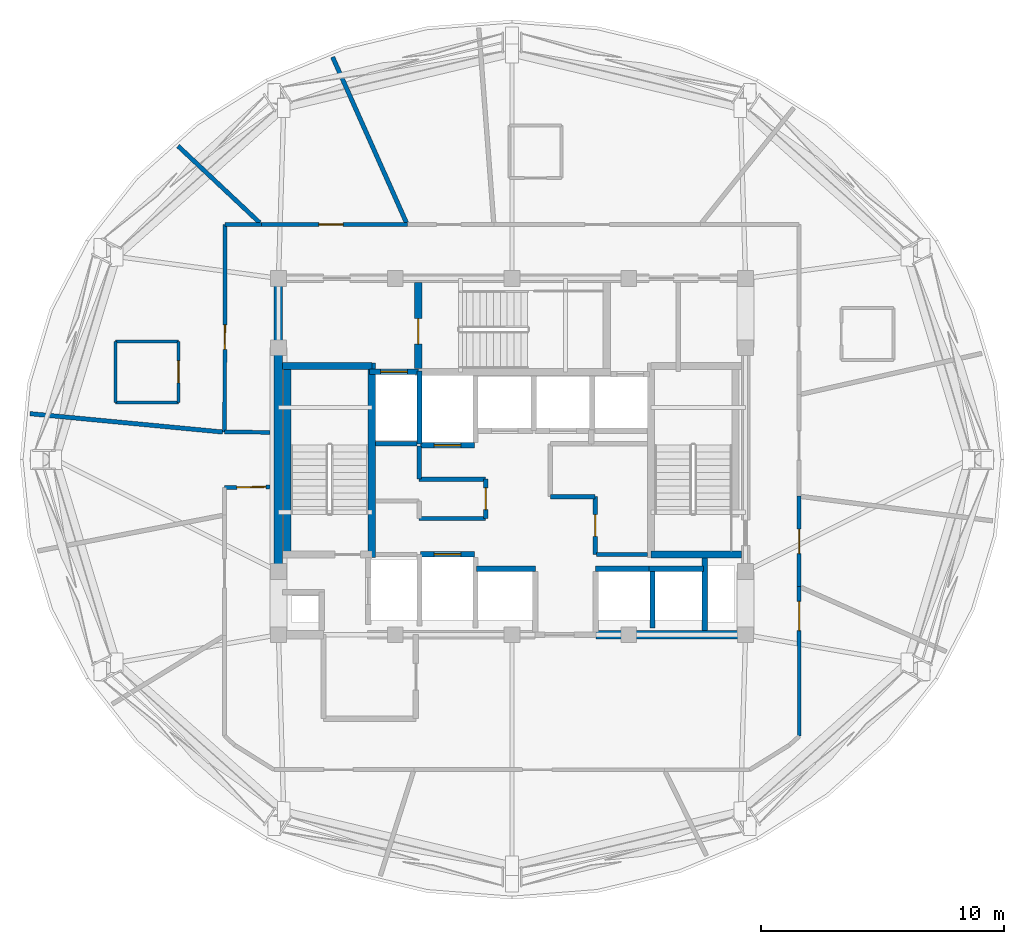
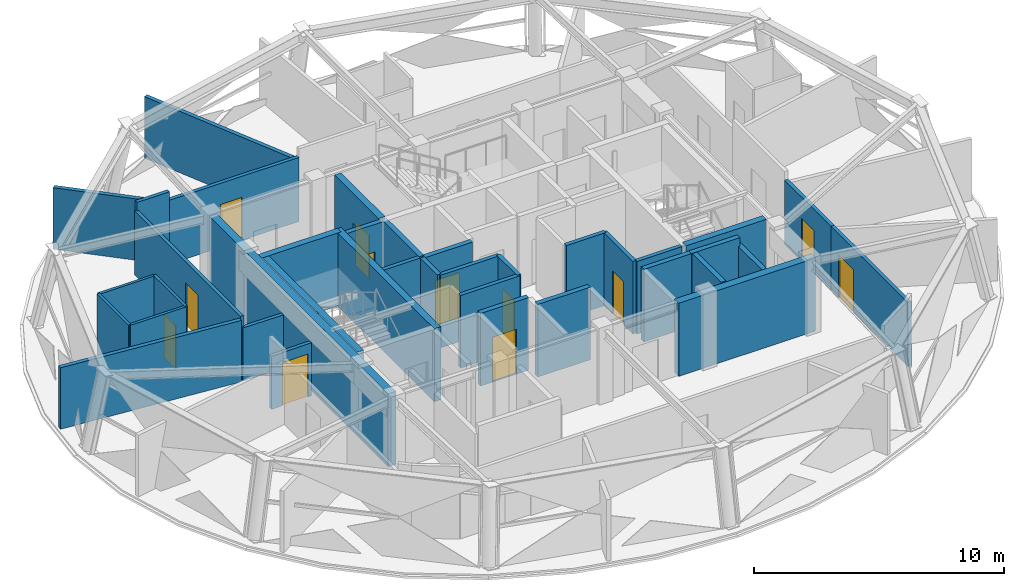
# One storey, part 5 of 11: 38 walls, 12 doors, 12 openings.
"""IFC4 building model written with IfcOpenShell, lengths in metres."""

from ifc_helpers import new_model, si_unit, direction, frame, frame_2d, origin, place, context, subcontext, project, spatial, rectangle, extrude, material, layer, layer_set, type_object, element, fill, save


model = new_model("IFC4")

# Units and contexts
model_context = context("Model", 3, precision=1e-05, world=origin(), true_north=direction((0.0, 1.0)))
body_context = subcontext(model_context, "Body", "Model", "MODEL_VIEW")
ifc_project = project(units=[si_unit("LENGTHUNIT", "METRE"), si_unit("AREAUNIT", "SQUARE_METRE"), si_unit("VOLUMEUNIT", "CUBIC_METRE"), si_unit("PLANEANGLEUNIT", "RADIAN"), si_unit("MASSUNIT", "GRAM", prefix="KILO")], contexts=[model_context])

# Site, building, storey
site_placement = place(None, origin())
site = spatial("IfcSite", under=ifc_project, at=site_placement, CompositionType="ELEMENT")
building_placement = place(site_placement, origin())
building = spatial("IfcBuilding", under=site, at=building_placement, Name="Vantalir Tower", CompositionType="ELEMENT")
storey_placement = place(building_placement, frame((0.0, 0.0, 278.85009765625)))
storey = spatial("IfcBuildingStorey", under=building, at=storey_placement, Name="L70", CompositionType="ELEMENT", Elevation=278.85009765625)

# Walls
ifc_material_1 = material(Name="Moisture-resistant en-suite partition", Category="gypsum")
ifc_layer_1 = layer(ifc_material_1, 0.125)
ifc_layer_set_1 = layer_set([ifc_layer_1], Name="Moisture-resistant en-suite partition")
wall_type_1 = type_object("IfcWallType", Name="WL-BATH-125", PredefinedType="PARTITIONING", material=ifc_layer_set_1)
for number, where, z_axis, x_axis, name in (
    (1, (15.193115234375, 27.35400390625, 0.0), (0.0, 0.0, 1.0), (1.0, 0.0, 0.0), "L70 En-suite 05 South Wall"),
    (2, (15.193115234375, 29.85400390625, 0.0), (0.0, 0.0, 1.0), (1.0, 0.0, 0.0), "L70 En-suite 05 North Wall"),
):
    element("IfcWall", number, at=place(storey_placement, frame(where, z_axis=z_axis, x_axis=x_axis)), inside=storey, type_object=wall_type_1, Name=name, PredefinedType="PARTITIONING", context=body_context, shape_type="SweptSolid", body=[
        extrude(rectangle(XDim=2.599853515625, YDim=0.125, at=frame_2d((1.2998046875, 0.0))), origin(), (0.0, 0.0, 1.0), 3.5498046875),
    ])
wall_1_placement = place(storey_placement, frame((15.193115234375, 27.35400390625, 0.0), z_axis=(0.0, 0.0, 1.0), x_axis=(0.0, 1.0, 0.0)))
element("IfcWall", 3, at=wall_1_placement, inside=storey, type_object=wall_type_1, Name="L70 En-suite 05 West Wall", PredefinedType="PARTITIONING", context=body_context, shape_type="SweptSolid", body=[
    extrude(rectangle(XDim=2.5, YDim=0.125, at=frame_2d((1.25, 0.0))), origin(), (0.0, 0.0, 1.0), 3.5498046875),
])

# Wall, opening, door
wall_2_placement = place(storey_placement, frame((17.79296875, 27.35400390625, 0.0), z_axis=(0.0, 0.0, 1.0), x_axis=(0.0, 1.0, 0.0)))
wall_2 = element("IfcWall", 4, at=wall_2_placement, inside=storey, type_object=wall_type_1, Name="L70 En-suite 05 East Wall", PredefinedType="PARTITIONING", context=body_context, shape_type="SweptSolid", body=[
    extrude(rectangle(XDim=2.5, YDim=0.125, at=frame_2d((1.25, 0.0))), origin(), (0.0, 0.0, 1.0), 3.5498046875),
])
opening_1_placement = place(wall_2_placement, frame((0.800048828125, 0.0, 0.0)))
opening_1 = element("IfcOpeningElement", 5, at=opening_1_placement, cuts=wall_2, Name="Opening D-WC", PredefinedType="OPENING", context=body_context, shape_type="SweptSolid", body=[
    extrude(rectangle(XDim=0.89990234375, YDim=2.10009765625, at=frame_2d((0.449951171875, 1.050048828125))), frame((0.0, 0.072509765625, 0.0), z_axis=(0.0, -1.0, 0.0), x_axis=(1.0, 0.0, 0.0)), (0.0, 0.0, 1.0), 0.14501953125),
])
ifc_material_2 = material(Name="Moisture-resistant hardwood door", Category="wood")
door_type_1 = type_object("IfcDoorType", Name="DR-ENSUITE-900", OperationType="NOTDEFINED", PredefinedType="DOOR", material=ifc_material_2)
door_1_placement = place(opening_1_placement, origin())
door_1 = element("IfcDoor", 6, at=door_1_placement, inside=storey, type_object=door_type_1, Name="L70 En-suite 05 Door", OperationType="SINGLE_SWING_RIGHT", OverallHeight=2.10009765625, OverallWidth=0.89990234375, PredefinedType="DOOR", context=body_context, shape_type="SweptSolid", body=[
    extrude(rectangle(XDim=0.89990234375, YDim=2.10009765625, at=frame_2d((0.449951171875, 1.050048828125))), frame((0.0, 0.02490234375, 0.0), z_axis=(0.0, -1.0, 0.0), x_axis=(1.0, 0.0, 0.0)), (0.0, 0.0, 1.0), 0.050048828125),
])
fill(opening_1, door_1)

# Walls
ifc_material_3 = material(Name="Concrete C50/60", Category="concrete")
ifc_layer_2 = layer(ifc_material_3, 0.35009765625)
ifc_layer_set_2 = layer_set([ifc_layer_2], Name="Concrete C50/60")
wall_type_2 = type_object("IfcWallType", Name="WL-CORE-350", PredefinedType="SHEAR", material=ifc_layer_set_2)
wall_3_placement = place(storey_placement, frame((34.949951171875, 17.800048828125, 0.0), z_axis=(0.0, 0.0, 1.0), x_axis=(1.0, 0.0, 0.0)))
element("IfcWall", 7, at=wall_3_placement, inside=storey, type_object=wall_type_2, Name="L70 Core Shear Wall South-East", PredefinedType="SHEAR", context=body_context, shape_type="SweptSolid", body=[
    extrude(rectangle(XDim=6.324951171875, YDim=0.35009765625, at=frame_2d((3.16259765625, 0.0))), origin(), (0.0, 0.0, 1.0), 3.56982421875),
])
wall_4_placement = place(storey_placement, frame((21.89990234375, 17.97509765625, 0.0), z_axis=(0.0, 0.0, 1.0), x_axis=(0.0, 1.0, 0.0)))
element("IfcWall", 8, at=wall_4_placement, inside=storey, type_object=wall_type_2, Name="L70 Core Shear Wall West", PredefinedType="SHEAR", context=body_context, shape_type="SweptSolid", body=[
    extrude(rectangle(XDim=14.2998046875, YDim=0.35009765625, at=frame_2d((7.14990234375, 0.0))), origin(), (0.0, 0.0, 1.0), 3.56982421875),
])
ifc_material_4 = material(Name="Fire-rated hotel corridor acoustic partition", Category="gypsum")
ifc_layer_3 = layer(ifc_material_4, 0.159912109375)
ifc_layer_set_3 = layer_set([ifc_layer_3], Name="Fire-rated hotel corridor acoustic partition")
wall_type_3 = type_object("IfcWallType", Name="WL-CORR-160", PredefinedType="PARTITIONING", material=ifc_layer_set_3)
wall_5_placement = place(storey_placement, frame((21.544921875, 26.116943359375, 0.0), z_axis=(0.0, 0.0, 1.0), x_axis=(-0.999908513059, 0.0135264745, 0.0)))
element("IfcWall", 9, at=wall_5_placement, inside=storey, type_object=wall_type_3, Name="L70 Corridor Partition 01", PredefinedType="PARTITIONING", context=body_context, shape_type="SweptSolid", body=[
    extrude(rectangle(XDim=1.859130859375, YDim=0.159912109375, at=frame_2d((0.9296875, 0.0))), origin(), (0.0, 0.0, 1.0), 2.594970703125),
])

# Wall, opening, door
wall_6_placement = place(storey_placement, frame((19.68603515625, 26.14208984375, 0.0), z_axis=(0.0, 0.0, 1.0), x_axis=(0.002808172778, 0.999996057075, 0.0)))
wall_6 = element("IfcWall", 10, at=wall_6_placement, inside=storey, type_object=wall_type_3, Name="L70 Corridor Partition 02", PredefinedType="PARTITIONING", context=body_context, shape_type="SweptSolid", body=[
    extrude(rectangle(XDim=8.52001953125, YDim=0.159912109375, at=frame_2d((4.260009765625, 0.0))), origin(), (0.0, 0.0, 1.0), 3.1318359375),
])
opening_2_placement = place(wall_6_placement, frame((3.39306640625, 0.0, 0.0)))
opening_2 = element("IfcOpeningElement", 11, at=opening_2_placement, cuts=wall_6, Name="Opening D-GUEST", PredefinedType="OPENING", context=body_context, shape_type="SweptSolid", body=[
    extrude(rectangle(XDim=1.0, YDim=2.10009765625, at=frame_2d((0.5, 1.050048828125))), frame((0.0, 0.08984375, 0.0), z_axis=(0.0, -1.0, 0.0), x_axis=(1.0, 0.0, 0.0)), (0.0, 0.0, 1.0), 0.179931640625),
])
ifc_material_5 = material(Name="Solid-core teak veneer acoustic fire door", Category="wood")
door_type_2 = type_object("IfcDoorType", Name="DR-GUEST-ENTRY-1000", OperationType="NOTDEFINED", PredefinedType="DOOR", material=ifc_material_5)
door_2_placement = place(opening_2_placement, origin())
door_2 = element("IfcDoor", 12, at=door_2_placement, inside=storey, type_object=door_type_2, Name="L70 Deluxe King Hotel Room 05 Door", OperationType="SINGLE_SWING_RIGHT", OverallHeight=2.10009765625, OverallWidth=1.0, PredefinedType="DOOR", context=body_context, shape_type="SweptSolid", body=[
    extrude(rectangle(XDim=1.0, YDim=2.10009765625, at=frame_2d((0.5, 1.050048828125))), frame((0.0, 0.02490234375, 0.0), z_axis=(0.0, -1.0, 0.0), x_axis=(1.0, 0.0, 0.0)), (0.0, 0.0, 1.0), 0.050048828125),
])
fill(opening_2, door_2)

# Wall
wall_7_placement = place(storey_placement, frame((19.7099609375, 34.662109375, 0.0), z_axis=(0.0, 0.0, 1.0), x_axis=(1.0, 0.0, 0.0)))
element("IfcWall", 13, at=wall_7_placement, inside=storey, type_object=wall_type_3, Name="L70 Corridor Partition 03", PredefinedType="PARTITIONING", context=body_context, shape_type="SweptSolid", body=[
    extrude(rectangle(XDim=1.5, YDim=0.159912109375, at=frame_2d((0.75, 0.0))), origin(), (0.0, 0.0, 1.0), 3.5498046875),
])

# Wall, opening, door
wall_8_placement = place(storey_placement, frame((21.2099609375, 34.662109375, 0.0), z_axis=(0.0, 0.0, 1.0), x_axis=(0.999999979201, -0.000203956757, 0.0)))
wall_8 = element("IfcWall", 14, at=wall_8_placement, inside=storey, type_object=wall_type_3, Name="L70 Corridor Partition 04", PredefinedType="PARTITIONING", context=body_context, shape_type="SweptSolid", body=[
    extrude(rectangle(XDim=5.985107421875, YDim=0.159912109375, at=frame_2d((2.99267578125, 0.0))), origin(), (0.0, 0.0, 1.0), 3.1318359375),
])
opening_3_placement = place(wall_8_placement, frame((2.346923828125, 0.0, 0.0)))
opening_3 = element("IfcOpeningElement", 15, at=opening_3_placement, cuts=wall_8, Name="Opening D-GUEST", PredefinedType="OPENING", context=body_context, shape_type="SweptSolid", body=[
    extrude(rectangle(XDim=1.0, YDim=2.10009765625, at=frame_2d((0.5, 1.050048828125))), frame((0.0, 0.08984375, 0.0), z_axis=(0.0, -1.0, 0.0), x_axis=(1.0, 0.0, 0.0)), (0.0, 0.0, 1.0), 0.179931640625),
])
door_3_placement = place(opening_3_placement, origin())
door_3 = element("IfcDoor", 16, at=door_3_placement, inside=storey, type_object=door_type_2, Name="L70 Club Reading Lounge 04 Door", OperationType="SINGLE_SWING_LEFT", OverallHeight=2.10009765625, OverallWidth=1.0, PredefinedType="DOOR", context=body_context, shape_type="SweptSolid", body=[
    extrude(rectangle(XDim=1.0, YDim=2.10009765625, at=frame_2d((0.5, 1.050048828125))), frame((0.0, 0.02490234375, 0.0), z_axis=(0.0, -1.0, 0.0), x_axis=(1.0, 0.0, 0.0)), (0.0, 0.0, 1.0), 0.050048828125),
])
fill(opening_3, door_3)

wall_9_placement = place(storey_placement, frame((43.302001953125, 23.49609375, 0.0), z_axis=(0.0, 0.0, 1.0), x_axis=(0.000525451487, -0.99999986195, 0.0)))
wall_9 = element("IfcWall", 17, at=wall_9_placement, inside=storey, type_object=wall_type_3, Name="L70 Corridor Partition 10", PredefinedType="PARTITIONING", context=body_context, shape_type="SweptSolid", body=[
    extrude(rectangle(XDim=3.717041015625, YDim=0.159912109375, at=frame_2d((1.8583984375, 0.0))), origin(), (0.0, 0.0, 1.0), 3.1318359375),
])
opening_4_placement = place(wall_9_placement, frame((1.35888671875, 0.0, 0.0)))
opening_4 = element("IfcOpeningElement", 18, at=opening_4_placement, cuts=wall_9, Name="Opening D-GUEST", PredefinedType="OPENING", context=body_context, shape_type="SweptSolid", body=[
    extrude(rectangle(XDim=1.0, YDim=2.10009765625, at=frame_2d((0.5, 1.050048828125))), frame((0.0, 0.08984375, 0.0), z_axis=(0.0, -1.0, 0.0), x_axis=(1.0, 0.0, 0.0)), (0.0, 0.0, 1.0), 0.179931640625),
])
door_4_placement = place(opening_4_placement, origin())
door_4 = element("IfcDoor", 19, at=door_4_placement, inside=storey, type_object=door_type_2, Name="L70 Executive Business Study 11 Door", OperationType="SINGLE_SWING_RIGHT", OverallHeight=2.10009765625, OverallWidth=1.0, PredefinedType="DOOR", context=body_context, shape_type="SweptSolid", body=[
    extrude(rectangle(XDim=1.0, YDim=2.10009765625, at=frame_2d((0.5, 1.050048828125))), frame((0.0, 0.02490234375, 0.0), z_axis=(0.0, -1.0, 0.0), x_axis=(1.0, 0.0, 0.0)), (0.0, 0.0, 1.0), 0.050048828125),
])
fill(opening_4, door_4)

wall_10_placement = place(storey_placement, frame((43.303955078125, 19.779052734375, 0.0), z_axis=(0.0, 0.0, 1.0), x_axis=(0.000833498421, -0.99999965264, 0.0)))
wall_10 = element("IfcWall", 20, at=wall_10_placement, inside=storey, type_object=wall_type_3, Name="L70 Corridor Partition 11", PredefinedType="PARTITIONING", context=body_context, shape_type="SweptSolid", body=[
    extrude(rectangle(XDim=6.151123046875, YDim=0.159912109375, at=frame_2d((3.07568359375, 0.0))), origin(), (0.0, 0.0, 1.0), 3.1318359375),
])
opening_5_placement = place(wall_10_placement, frame((0.60791015625, 0.0, 0.0)))
opening_5 = element("IfcOpeningElement", 21, at=opening_5_placement, cuts=wall_10, Name="Opening D-STE", PredefinedType="OPENING", context=body_context, shape_type="SweptSolid", body=[
    extrude(rectangle(XDim=1.199951171875, YDim=2.10009765625, at=frame_2d((0.60009765625, 1.050048828125))), frame((0.0, 0.08984375, 0.0), z_axis=(0.0, -1.0, 0.0), x_axis=(1.0, 0.0, 0.0)), (0.0, 0.0, 1.0), 0.179931640625),
])
ifc_material_6 = material(Name="Solid-core teak veneer suite entrance door", Category="wood")
door_type_3 = type_object("IfcDoorType", Name="DR-SUITE-ENTRY-1200", OperationType="NOTDEFINED", PredefinedType="DOOR", material=ifc_material_6)
door_5_placement = place(opening_5_placement, origin())
door_5 = element("IfcDoor", 22, at=door_5_placement, inside=storey, type_object=door_type_3, Name="L70 Club Reading Lounge 10 Door", OperationType="SINGLE_SWING_LEFT", OverallHeight=2.10009765625, OverallWidth=1.199951171875, PredefinedType="DOOR", context=body_context, shape_type="SweptSolid", body=[
    extrude(rectangle(XDim=1.199951171875, YDim=2.10009765625, at=frame_2d((0.60009765625, 1.050048828125))), frame((0.0, 0.02490234375, 0.0), z_axis=(0.0, -1.0, 0.0), x_axis=(1.0, 0.0, 0.0)), (0.0, 0.0, 1.0), 0.050048828125),
])
fill(opening_5, door_5)

wall_11_placement = place(storey_placement, frame((19.68505859375, 23.85009765625, 0.0), z_axis=(0.0, 0.0, 1.0), x_axis=(0.999852179606, 0.017193572529, 0.0)))
wall_11 = element("IfcWall", 23, at=wall_11_placement, inside=storey, type_object=wall_type_3, Name="L70 Corridor Partition 22", PredefinedType="PARTITIONING", context=body_context, shape_type="SweptSolid", body=[
    extrude(rectangle(XDim=1.860107421875, YDim=0.159912109375, at=frame_2d((0.93017578125, 0.0))), origin(), (0.0, 0.0, 1.0), 2.594970703125),
])
opening_6_placement = place(wall_11_placement, frame((0.5, 0.0, 0.0)))
opening_6 = element("IfcOpeningElement", 24, at=opening_6_placement, cuts=wall_11, Name="Opening D-STE", PredefinedType="OPENING", context=body_context, shape_type="SweptSolid", body=[
    extrude(rectangle(XDim=1.199951171875, YDim=2.10009765625, at=frame_2d((0.60009765625, 1.050048828125))), frame((0.0, 0.08984375, 0.0), z_axis=(0.0, -1.0, 0.0), x_axis=(1.0, 0.0, 0.0)), (0.0, 0.0, 1.0), 0.179931640625),
])
door_6_placement = place(opening_6_placement, origin())
door_6 = element("IfcDoor", 25, at=door_6_placement, inside=storey, type_object=door_type_3, Name="L70 Executive Business Study 06 Door", OperationType="SINGLE_SWING_LEFT", OverallHeight=2.10009765625, OverallWidth=1.199951171875, PredefinedType="DOOR", context=body_context, shape_type="SweptSolid", body=[
    extrude(rectangle(XDim=1.199951171875, YDim=2.10009765625, at=frame_2d((0.60009765625, 1.050048828125))), frame((0.0, 0.02490234375, 0.0), z_axis=(0.0, -1.0, 0.0), x_axis=(1.0, 0.0, 0.0)), (0.0, 0.0, 1.0), 0.050048828125),
])
fill(opening_6, door_6)

# Walls
ifc_material_7 = material(Name="Concrete blockwork with fireboard lining", Category="masonry")
ifc_layer_4 = layer(ifc_material_7, 0.219970703125)
ifc_layer_set_4 = layer_set([ifc_layer_4], Name="Concrete blockwork with fireboard lining")
wall_type_4 = type_object("IfcWallType", Name="WL-FFL-220", PredefinedType="PARTITIONING", material=ifc_layer_set_4)
wall_12_placement = place(storey_placement, frame((37.27490234375, 18.080078125, 0.0), z_axis=(0.0, 0.0, 1.0), x_axis=(0.0, 1.0, 0.0)))
element("IfcWall", 26, at=wall_12_placement, inside=storey, type_object=wall_type_4, Name="L70 Shuttle Lift PL-X2/X3 Shaft Divider", PredefinedType="PARTITIONING", context=body_context, shape_type="SweptSolid", body=[
    extrude(rectangle(XDim=2.309814453125, YDim=0.219970703125, at=frame_2d((1.15478515625, 0.0))), origin(), (0.0, 0.0, 1.0), 3.544921875),
])
wall_13_placement = place(storey_placement, frame((39.419921875, 17.97509765625, 0.0), z_axis=(0.0, 0.0, 1.0), x_axis=(0.0, 1.0, 0.0)))
element("IfcWall", 27, at=wall_13_placement, inside=storey, type_object=wall_type_4, Name="L70 East MEP Riser Wall W", PredefinedType="PARTITIONING", context=body_context, shape_type="SweptSolid", body=[
    extrude(rectangle(XDim=2.974853515625, YDim=0.219970703125, at=frame_2d((1.4873046875, 0.0))), origin(), (0.0, 0.0, 1.0), 3.1318359375),
])

# Wall, opening, door
wall_14_placement = place(storey_placement, frame((25.639892578125, 28.610107421875, 0.0), z_axis=(0.0, 0.0, 1.0), x_axis=(1.0, 0.0, 0.0)))
wall_14 = element("IfcWall", 28, at=wall_14_placement, inside=storey, type_object=wall_type_4, Name="L70 Lift FL2 Shaft Front Wall", PredefinedType="PARTITIONING", context=body_context, shape_type="SweptSolid", body=[
    extrude(rectangle(XDim=2.02001953125, YDim=0.219970703125, at=frame_2d((1.010009765625, 0.0))), origin(), (0.0, 0.0, 1.0), 3.5498046875),
])
opening_7_placement = place(wall_14_placement, frame((0.4599609375, 0.0, 0.0)))
opening_7 = element("IfcOpeningElement", 29, at=opening_7_placement, cuts=wall_14, Name="Opening LD-FL2", PredefinedType="OPENING", context=body_context, shape_type="SweptSolid", body=[
    extrude(rectangle(XDim=1.10009765625, YDim=2.199951171875, at=frame_2d((0.550048828125, 1.10009765625))), frame((0.0, 0.119873046875, 0.0), z_axis=(0.0, -1.0, 0.0), x_axis=(1.0, 0.0, 0.0)), (0.0, 0.0, 1.0), 0.239990234375),
])
ifc_material_8 = material(Name="Brushed stainless-steel sliding lift landing door", Category="steel")
door_type_4 = type_object("IfcDoorType", Name="DR-LIFT-LANDING-1100", OperationType="DOUBLE_DOOR_SLIDING", PredefinedType="DOOR", material=ifc_material_8)
door_7_placement = place(opening_7_placement, origin())
door_7 = element("IfcDoor", 30, at=door_7_placement, inside=storey, type_object=door_type_4, Name="L70 Lift Landing Door FL2", OperationType="DOUBLE_DOOR_SLIDING", OverallHeight=2.199951171875, OverallWidth=1.10009765625, PredefinedType="DOOR", context=body_context, shape_type="SweptSolid", body=[
    extrude(rectangle(XDim=1.10009765625, YDim=2.199951171875, at=frame_2d((0.550048828125, 1.10009765625))), frame((0.0, 0.02490234375, 0.0), z_axis=(0.0, -1.0, 0.0), x_axis=(1.0, 0.0, 0.0)), (0.0, 0.0, 1.0), 0.050048828125),
])
fill(opening_7, door_7)

wall_15_placement = place(storey_placement, frame((27.739990234375, 21.110107421875, 0.0), z_axis=(0.0, 0.0, 1.0), x_axis=(1.0, 0.0, 0.0)))
wall_15 = element("IfcWall", 31, at=wall_15_placement, inside=storey, type_object=wall_type_4, Name="L70 Lift SV1 Shaft Front Wall", PredefinedType="PARTITIONING", context=body_context, shape_type="SweptSolid", body=[
    extrude(rectangle(XDim=2.219970703125, YDim=0.219970703125, at=frame_2d((1.10986328125, 0.0))), origin(), (0.0, 0.0, 1.0), 3.5498046875),
])
opening_8_placement = place(wall_15_placement, frame((0.56005859375, 0.0, 0.0)))
opening_8 = element("IfcOpeningElement", 32, at=opening_8_placement, cuts=wall_15, Name="Opening LD-SV1", PredefinedType="OPENING", context=body_context, shape_type="SweptSolid", body=[
    extrude(rectangle(XDim=1.10009765625, YDim=2.199951171875, at=frame_2d((0.550048828125, 1.10009765625))), frame((0.0, 0.119873046875, 0.0), z_axis=(0.0, -1.0, 0.0), x_axis=(1.0, 0.0, 0.0)), (0.0, 0.0, 1.0), 0.239990234375),
])
door_8_placement = place(opening_8_placement, origin())
door_8 = element("IfcDoor", 33, at=door_8_placement, inside=storey, type_object=door_type_4, Name="L70 Lift Landing Door SV1", OperationType="DOUBLE_DOOR_SLIDING", OverallHeight=2.199951171875, OverallWidth=1.10009765625, PredefinedType="DOOR", context=body_context, shape_type="SweptSolid", body=[
    extrude(rectangle(XDim=1.10009765625, YDim=2.199951171875, at=frame_2d((0.550048828125, 1.10009765625))), frame((0.0, 0.02490234375, 0.0), z_axis=(0.0, -1.0, 0.0), x_axis=(1.0, 0.0, 0.0)), (0.0, 0.0, 1.0), 0.050048828125),
])
fill(opening_8, door_8)

wall_16_placement = place(storey_placement, frame((27.739990234375, 25.590087890625, 0.0), z_axis=(0.0, 0.0, 1.0), x_axis=(1.0, 0.0, 0.0)))
wall_16 = element("IfcWall", 34, at=wall_16_placement, inside=storey, type_object=wall_type_4, Name="L70 Lift SV2 Shaft Front Wall", PredefinedType="PARTITIONING", context=body_context, shape_type="SweptSolid", body=[
    extrude(rectangle(XDim=2.219970703125, YDim=0.219970703125, at=frame_2d((1.10986328125, 0.0))), origin(), (0.0, 0.0, 1.0), 3.5498046875),
])
opening_9_placement = place(wall_16_placement, frame((0.56005859375, 0.0, 0.0)))
opening_9 = element("IfcOpeningElement", 35, at=opening_9_placement, cuts=wall_16, Name="Opening LD-SV2", PredefinedType="OPENING", context=body_context, shape_type="SweptSolid", body=[
    extrude(rectangle(XDim=1.10009765625, YDim=2.199951171875, at=frame_2d((0.550048828125, 1.10009765625))), frame((0.0, 0.119873046875, 0.0), z_axis=(0.0, -1.0, 0.0), x_axis=(1.0, 0.0, 0.0)), (0.0, 0.0, 1.0), 0.239990234375),
])
door_9_placement = place(opening_9_placement, frame((1.10009765625, 0.0, 0.0), z_axis=(0.0, 0.0, 1.0), x_axis=(-1.0, 0.0, 0.0)))
door_9 = element("IfcDoor", 36, at=door_9_placement, inside=storey, type_object=door_type_4, Name="L70 Lift Landing Door SV2", OperationType="DOUBLE_DOOR_SLIDING", OverallHeight=2.199951171875, OverallWidth=1.10009765625, PredefinedType="DOOR", context=body_context, shape_type="SweptSolid", body=[
    extrude(rectangle(XDim=1.10009765625, YDim=2.199951171875, at=frame_2d((0.550048828125, 1.10009765625))), frame((0.0, 0.02490234375, 0.0), z_axis=(0.0, -1.0, 0.0), x_axis=(1.0, 0.0, 0.0)), (0.0, 0.0, 1.0), 0.050048828125),
])
fill(opening_9, door_9)

# Walls
wall_17_placement = place(storey_placement, frame((30.0400390625, 20.510009765625, 0.0), z_axis=(0.0, 0.0, 1.0), x_axis=(1.0, 0.0, 0.0)))
element("IfcWall", 37, at=wall_17_placement, inside=storey, type_object=wall_type_4, Name="L70 Lift PL-X1 Shaft Front Wall", PredefinedType="PARTITIONING", context=body_context, shape_type="SweptSolid", body=[
    extrude(rectangle(XDim=2.419921875, YDim=0.219970703125, at=frame_2d((1.2099609375, 0.0))), origin(), (0.0, 0.0, 1.0), 3.5498046875),
])
for number, where, z_axis, x_axis, name in (
    (38, (37.139892578125, 20.510009765625, 0.0), (0.0, 0.0, 1.0), (1.0, 0.0, 0.0), "L70 Lift PL-X2 Shaft Rear Wall"),
    (39, (34.93994140625, 20.510009765625, 0.0), (0.0, 0.0, 1.0), (1.0, 0.0, 0.0), "L70 Lift PL-X3 Shaft Front Wall"),
):
    element("IfcWall", number, at=place(storey_placement, frame(where, z_axis=z_axis, x_axis=x_axis)), inside=storey, type_object=wall_type_4, Name=name, PredefinedType="PARTITIONING", context=body_context, shape_type="SweptSolid", body=[
        extrude(rectangle(XDim=2.239990234375, YDim=0.219970703125, at=frame_2d((1.1201171875, 0.0))), origin(), (0.0, 0.0, 1.0), 3.5498046875),
    ])
wall_18_placement = place(storey_placement, frame((27.699951171875, 25.64990234375, 0.0), z_axis=(0.0, 0.0, 1.0), x_axis=(0.0, 1.0, 0.0)))
element("IfcWall", 40, at=wall_18_placement, inside=storey, type_object=wall_type_4, Name="L70 Fire Lift FL2 Dividing Wall", PredefinedType="PARTITIONING", context=body_context, shape_type="SweptSolid", body=[
    extrude(rectangle(XDim=3.0, YDim=0.219970703125, at=frame_2d((1.5, 0.0))), origin(), (0.0, 0.0, 1.0), 3.5498046875),
])
ifc_material_9 = material(Name="Twin-stud acoustic fire-rated gypsum partition", Category="gypsum")
ifc_layer_5 = layer(ifc_material_9, 0.179931640625)
ifc_layer_set_5 = layer_set([ifc_layer_5], Name="Twin-stud acoustic fire-rated gypsum partition")
wall_type_5 = type_object("IfcWallType", Name="WL-GUEST-180", PredefinedType="PARTITIONING", material=ifc_layer_set_5)
wall_19_placement = place(storey_placement, frame((25.889892578125, 25.64990234375, 0.0), z_axis=(0.0, 0.0, 1.0), x_axis=(1.0, 0.0, 0.0)))
element("IfcWall", 41, at=wall_19_placement, inside=storey, type_object=wall_type_5, Name="L70 Freed West Core North Wall", PredefinedType="PARTITIONING", context=body_context, shape_type="SweptSolid", body=[
    extrude(rectangle(XDim=1.7001953125, YDim=0.179931640625, at=frame_2d((0.85009765625, 0.0))), origin(), (0.0, 0.0, 1.0), 3.5498046875),
])
wall_20_placement = place(storey_placement, frame((27.679931640625, 22.580078125, 0.0), z_axis=(0.0, 0.0, 1.0), x_axis=(1.0, 0.0, 0.0)))
element("IfcWall", 42, at=wall_20_placement, inside=storey, type_object=wall_type_5, Name="L70 West Linen Alcove South Wall", PredefinedType="PARTITIONING", context=body_context, shape_type="SweptSolid", body=[
    extrude(rectangle(XDim=2.739990234375, YDim=0.179931640625, at=frame_2d((1.3701171875, 0.0))), origin(), (0.0, 0.0, 1.0), 3.5498046875),
])

# Wall, opening, door
wall_21_placement = place(storey_placement, frame((30.419921875, 22.580078125, 0.0), z_axis=(0.0, 0.0, 1.0), x_axis=(0.0, 1.0, 0.0)))
wall_21 = element("IfcWall", 43, at=wall_21_placement, inside=storey, type_object=wall_type_5, Name="L70 West Linen Alcove East Wall", PredefinedType="PARTITIONING", context=body_context, shape_type="SweptSolid", body=[
    extrude(rectangle(XDim=1.619873046875, YDim=0.179931640625, at=frame_2d((0.81005859375, 0.0))), origin(), (0.0, 0.0, 1.0), 3.5498046875),
])
opening_10_placement = place(wall_21_placement, frame((0.360107421875, 0.0, 0.0)))
opening_10 = element("IfcOpeningElement", 44, at=opening_10_placement, cuts=wall_21, Name="Opening D-CR", PredefinedType="OPENING", context=body_context, shape_type="SweptSolid", body=[
    extrude(rectangle(XDim=0.89990234375, YDim=2.10009765625, at=frame_2d((0.449951171875, 1.050048828125))), frame((0.0, 0.099853515625, 0.0), z_axis=(0.0, -1.0, 0.0), x_axis=(1.0, 0.0, 0.0)), (0.0, 0.0, 1.0), 0.199951171875),
])
ifc_material_10 = material(Name="Fire-rated steel core service door", Category="steel")
door_type_5 = type_object("IfcDoorType", Name="DR-CORE-SERV-900", OperationType="NOTDEFINED", PredefinedType="DOOR", material=ifc_material_10)
door_10_placement = place(opening_10_placement, origin())
door_10 = element("IfcDoor", 45, at=door_10_placement, inside=storey, type_object=door_type_5, Name="L70 Core Linen Store Door", OperationType="SINGLE_SWING_LEFT", OverallHeight=2.10009765625, OverallWidth=0.89990234375, PredefinedType="DOOR", context=body_context, shape_type="SweptSolid", body=[
    extrude(rectangle(XDim=0.89990234375, YDim=2.10009765625, at=frame_2d((0.449951171875, 1.050048828125))), frame((0.0, 0.02490234375, 0.0), z_axis=(0.0, -1.0, 0.0), x_axis=(1.0, 0.0, 0.0)), (0.0, 0.0, 1.0), 0.050048828125),
])
fill(opening_10, door_10)

# Walls
wall_22_placement = place(storey_placement, frame((27.679931640625, 24.199951171875, 0.0), z_axis=(0.0, 0.0, 1.0), x_axis=(1.0, 0.0, 0.0)))
element("IfcWall", 46, at=wall_22_placement, inside=storey, type_object=wall_type_5, Name="L70 West Linen Alcove North Wall", PredefinedType="PARTITIONING", context=body_context, shape_type="SweptSolid", body=[
    extrude(rectangle(XDim=2.739990234375, YDim=0.179931640625, at=frame_2d((1.3701171875, 0.0))), origin(), (0.0, 0.0, 1.0), 3.5498046875),
])
wall_23_placement = place(storey_placement, frame((27.679931640625, 24.199951171875, 0.0), z_axis=(0.0, 0.0, 1.0), x_axis=(0.0, 1.0, 0.0)))
element("IfcWall", 47, at=wall_23_placement, inside=storey, type_object=wall_type_5, Name="L70 West Linen Upper East Wall", PredefinedType="PARTITIONING", context=body_context, shape_type="SweptSolid", body=[
    extrude(rectangle(XDim=1.360107421875, YDim=0.179931640625, at=frame_2d((0.68017578125, 0.0))), origin(), (0.0, 0.0, 1.0), 3.5498046875),
])
wall_24_placement = place(storey_placement, frame((34.97998046875, 21.10009765625, 0.0), z_axis=(0.0, 0.0, 1.0), x_axis=(1.0, 0.0, 0.0)))
element("IfcWall", 48, at=wall_24_placement, inside=storey, type_object=wall_type_5, Name="L70 Freed East Core South Wall", PredefinedType="PARTITIONING", context=body_context, shape_type="SweptSolid", body=[
    extrude(rectangle(XDim=2.080078125, YDim=0.179931640625, at=frame_2d((1.0400390625, 0.0))), origin(), (0.0, 0.0, 1.0), 3.5498046875),
])
wall_25_placement = place(storey_placement, frame((33.080078125, 23.47998046875, 0.0), z_axis=(0.0, 0.0, 1.0), x_axis=(1.0, 0.0, 0.0)))
element("IfcWall", 49, at=wall_25_placement, inside=storey, type_object=wall_type_5, Name="L70 East Core Alcove South Wall", PredefinedType="PARTITIONING", context=body_context, shape_type="SweptSolid", body=[
    extrude(rectangle(XDim=1.83984375, YDim=0.179931640625, at=frame_2d((0.919921875, 0.0))), origin(), (0.0, 0.0, 1.0), 3.5498046875),
])

# Wall, opening, door
wall_26_placement = place(storey_placement, frame((34.919921875, 21.10009765625, 0.0), z_axis=(0.0, 0.0, 1.0), x_axis=(0.0, 1.0, 0.0)))
wall_26 = element("IfcWall", 50, at=wall_26_placement, inside=storey, type_object=wall_type_5, Name="L70 East Core Lower West Wall", PredefinedType="PARTITIONING", context=body_context, shape_type="SweptSolid", body=[
    extrude(rectangle(XDim=2.3798828125, YDim=0.179931640625, at=frame_2d((1.18994140625, 0.0))), origin(), (0.0, 0.0, 1.0), 3.5498046875),
])
opening_11_placement = place(wall_26_placement, frame((0.739990234375, 0.0, 0.0)))
opening_11 = element("IfcOpeningElement", 51, at=opening_11_placement, cuts=wall_26, Name="Opening D-CR", PredefinedType="OPENING", context=body_context, shape_type="SweptSolid", body=[
    extrude(rectangle(XDim=0.89990234375, YDim=2.10009765625, at=frame_2d((0.449951171875, 1.050048828125))), frame((0.0, 0.099853515625, 0.0), z_axis=(0.0, -1.0, 0.0), x_axis=(1.0, 0.0, 0.0)), (0.0, 0.0, 1.0), 0.199951171875),
])
door_11_placement = place(opening_11_placement, frame((0.89990234375, 0.0, 0.0), z_axis=(0.0, 0.0, 1.0), x_axis=(-1.0, 0.0, 0.0)))
door_11 = element("IfcDoor", 52, at=door_11_placement, inside=storey, type_object=door_type_5, Name="L70 Core Telecoms Door", OperationType="SINGLE_SWING_LEFT", OverallHeight=2.10009765625, OverallWidth=0.89990234375, PredefinedType="DOOR", context=body_context, shape_type="SweptSolid", body=[
    extrude(rectangle(XDim=0.89990234375, YDim=2.10009765625, at=frame_2d((0.449951171875, 1.050048828125))), frame((0.0, 0.02490234375, 0.0), z_axis=(0.0, -1.0, 0.0), x_axis=(1.0, 0.0, 0.0)), (0.0, 0.0, 1.0), 0.050048828125),
])
fill(opening_11, door_11)

# Walls
wall_27_placement = place(storey_placement, frame((27.159912109375, 34.739990234375, 0.0), z_axis=(0.0, 0.0, 1.0), x_axis=(-0.406937643974, 0.913455939778, 0.0)))
element("IfcWall", 53, at=wall_27_placement, inside=storey, type_object=wall_type_5, Name="L70 Radial Suite Partition 04", PredefinedType="PARTITIONING", context=body_context, shape_type="SweptSolid", body=[
    extrude(rectangle(XDim=7.453125, YDim=0.179931640625, at=frame_2d((3.7265625, 0.0))), origin(), (0.0, 0.0, 1.0), 3.0029296875),
])
wall_28_placement = place(storey_placement, frame((21.1259765625, 34.739990234375, 0.0), z_axis=(0.0, 0.0, 1.0), x_axis=(-0.728905018714, 0.684614836016, 0.0)))
element("IfcWall", 54, at=wall_28_placement, inside=storey, type_object=wall_type_5, Name="L70 Radial Suite Partition 05", PredefinedType="PARTITIONING", context=body_context, shape_type="SweptSolid", body=[
    extrude(rectangle(XDim=4.602783203125, YDim=0.179931640625, at=frame_2d((2.30126953125, 0.0))), origin(), (0.0, 0.0, 1.0), 3.0029296875),
])
wall_29_placement = place(storey_placement, frame((19.611083984375, 26.133056640625, 0.0), z_axis=(0.0, 0.0, 1.0), x_axis=(-0.995495196961, 0.094811986724, 0.0)))
element("IfcWall", 55, at=wall_29_placement, inside=storey, type_object=wall_type_5, Name="L70 Radial Suite Partition 06", PredefinedType="PARTITIONING", context=body_context, shape_type="SweptSolid", body=[
    extrude(rectangle(XDim=7.9619140625, YDim=0.179931640625, at=frame_2d((3.98095703125, 0.0))), origin(), (0.0, 0.0, 1.0), 3.0029296875),
])
ifc_layer_6 = layer(ifc_material_3, 0.300048828125)
ifc_layer_set_6 = layer_set([ifc_layer_6], Name="Concrete C50/60")
wall_type_6 = type_object("IfcWallType", Name="WL-STAIR-300", PredefinedType="SHEAR", material=ifc_layer_set_6)
wall_30_placement = place(storey_placement, frame((22.074951171875, 28.85009765625, 0.0), z_axis=(0.0, 0.0, 1.0), x_axis=(1.0, 0.0, 0.0)))
element("IfcWall", 56, at=wall_30_placement, inside=storey, type_object=wall_type_6, Name="L70 Stair ST1 North Wall", PredefinedType="SHEAR", context=body_context, shape_type="SweptSolid", body=[
    extrude(rectangle(XDim=3.6650390625, YDim=0.300048828125, at=frame_2d((1.83251953125, 0.0))), origin(), (0.0, 0.0, 1.0), 3.56982421875),
])
wall_31_placement = place(storey_placement, frame((25.739990234375, 20.97998046875, 0.0), z_axis=(0.0, 0.0, 1.0), x_axis=(0.0, 1.0, 0.0)))
element("IfcWall", 57, at=wall_31_placement, inside=storey, type_object=wall_type_6, Name="L70 Stair ST1 East Wall", PredefinedType="SHEAR", context=body_context, shape_type="SweptSolid", body=[
    extrude(rectangle(XDim=7.989990234375, YDim=0.300048828125, at=frame_2d((3.9951171875, 0.0))), origin(), (0.0, 0.0, 1.0), 3.56982421875),
])
wall_32_placement = place(storey_placement, frame((22.260009765625, 21.10009765625, 0.0), z_axis=(0.0, 0.0, 1.0), x_axis=(0.0, 1.0, 0.0)))
element("IfcWall", 58, at=wall_32_placement, inside=storey, type_object=wall_type_6, Name="L70 Stair ST1 West Liner Wall", PredefinedType="SHEAR", context=body_context, shape_type="SweptSolid", body=[
    extrude(rectangle(XDim=7.75, YDim=0.300048828125, at=frame_2d((3.875, 0.0))), origin(), (0.0, 0.0, 1.0), 3.56982421875),
])
wall_33_placement = place(storey_placement, frame((37.2099609375, 21.10009765625, 0.0), z_axis=(0.0, 0.0, 1.0), x_axis=(1.0, 0.0, 0.0)))
element("IfcWall", 59, at=wall_33_placement, inside=storey, type_object=wall_type_6, Name="L70 Stair ST2 South Wall", PredefinedType="SHEAR", context=body_context, shape_type="SweptSolid", body=[
    extrude(rectangle(XDim=3.715087890625, YDim=0.300048828125, at=frame_2d((1.857421875, 0.0))), origin(), (0.0, 0.0, 1.0), 3.56982421875),
])

# Wall, opening, door
wall_34_placement = place(storey_placement, frame((27.64990234375, 28.75, 0.0), z_axis=(0.0, 0.0, 1.0), x_axis=(0.0, 1.0, 0.0)))
wall_34 = element("IfcWall", 60, at=wall_34_placement, inside=storey, type_object=wall_type_6, Name="L70 Stair ST3 West Wall", PredefinedType="SHEAR", context=body_context, shape_type="SweptSolid", body=[
    extrude(rectangle(XDim=3.52490234375, YDim=0.300048828125, at=frame_2d((1.762451171875, 0.0))), origin(), (0.0, 0.0, 1.0), 3.56982421875),
])
opening_12_placement = place(wall_34_placement, frame((1.0, 0.0, 0.0)))
opening_12 = element("IfcOpeningElement", 61, at=opening_12_placement, cuts=wall_34, Name="Opening D-ST", PredefinedType="OPENING", context=body_context, shape_type="SweptSolid", body=[
    extrude(rectangle(XDim=1.050048828125, YDim=2.10009765625, at=frame_2d((0.52490234375, 1.050048828125))), frame((0.0, 0.159912109375, 0.0), z_axis=(0.0, -1.0, 0.0), x_axis=(1.0, 0.0, 0.0)), (0.0, 0.0, 1.0), 0.320068359375),
])
ifc_material_11 = material(Name="Fire-rated steel door leaf", Category="steel")
door_type_6 = type_object("IfcDoorType", Name="DR-FIRE-STAIR-1050", OperationType="NOTDEFINED", PredefinedType="DOOR", material=ifc_material_11)
door_12_placement = place(opening_12_placement, frame((1.050048828125, 0.0, 0.0), z_axis=(0.0, 0.0, 1.0), x_axis=(-1.0, 0.0, 0.0)))
door_12 = element("IfcDoor", 62, at=door_12_placement, inside=storey, type_object=door_type_6, Name="L70 Exit Stair ST3 Fire Door", OperationType="SINGLE_SWING_LEFT", OverallHeight=2.10009765625, OverallWidth=1.050048828125, PredefinedType="DOOR", context=body_context, shape_type="SweptSolid", body=[
    extrude(rectangle(XDim=1.050048828125, YDim=2.10009765625, at=frame_2d((0.52490234375, 1.050048828125))), frame((0.0, 0.02490234375, 0.0), z_axis=(0.0, -1.0, 0.0), x_axis=(1.0, 0.0, 0.0)), (0.0, 0.0, 1.0), 0.050048828125),
])
fill(opening_12, door_12)

save(model, "model.ifc")
